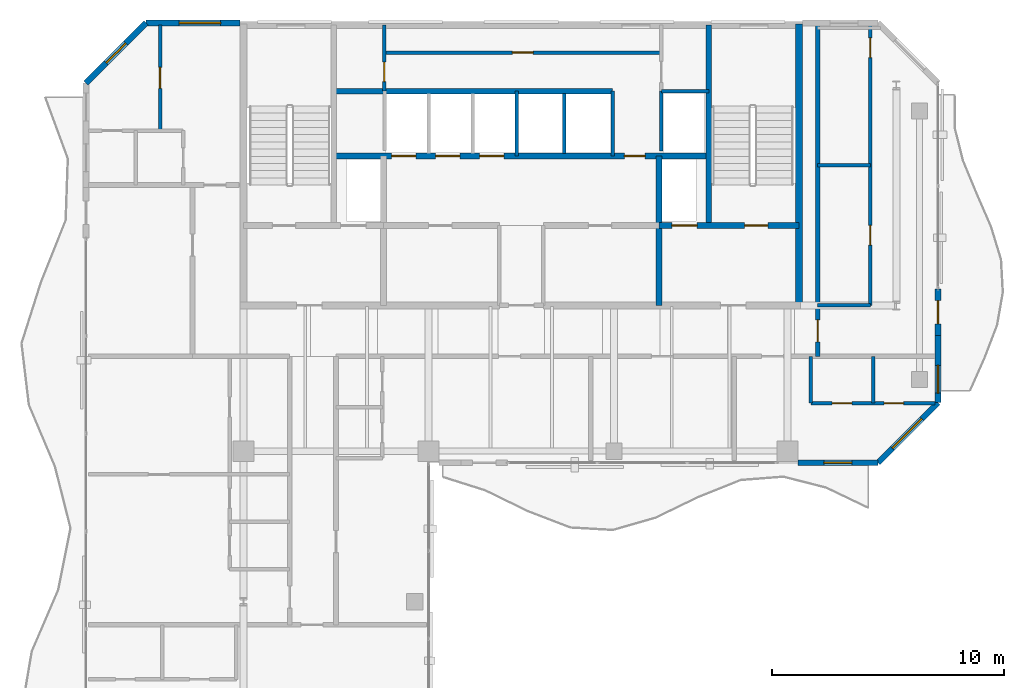
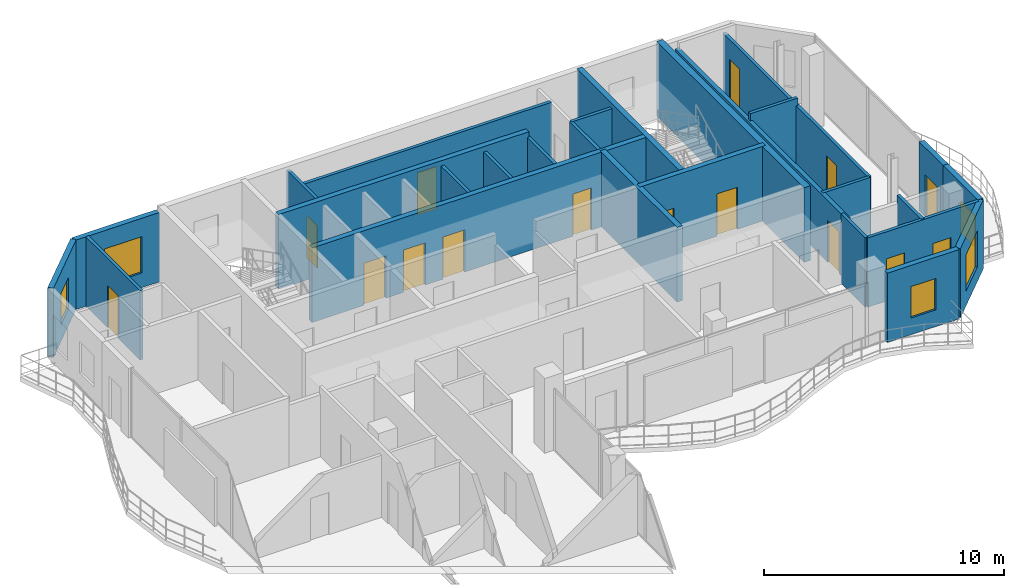
# One storey, part 14 of 17: 27 walls, 15 doors, 5 windows, 20 openings.
"""IFC4 building model written with IfcOpenShell, lengths in metres."""

from ifc_helpers import new_model, si_unit, direction, frame, frame_2d, origin, place, context, subcontext, project, spatial, rectangle, extrude, material, layer, layer_set, type_object, element, fill, save


model = new_model("IFC4")

# Units and contexts
model_context = context("Model", 3, precision=1e-05, world=origin(), true_north=direction((0.0, 1.0)))
body_context = subcontext(model_context, "Body", "Model", "MODEL_VIEW")
ifc_project = project(units=[si_unit("LENGTHUNIT", "METRE"), si_unit("AREAUNIT", "SQUARE_METRE"), si_unit("VOLUMEUNIT", "CUBIC_METRE"), si_unit("PLANEANGLEUNIT", "RADIAN"), si_unit("MASSUNIT", "GRAM", prefix="KILO")], contexts=[model_context])

# Site, building, storey
site_placement = place(None, origin())
site = spatial("IfcSite", under=ifc_project, at=site_placement, CompositionType="ELEMENT")
building_placement = place(site_placement, origin())
building = spatial("IfcBuilding", under=site, at=building_placement, Name="Catumbela Crestline Tower", CompositionType="ELEMENT")
storey_placement = place(building_placement, frame((0.0, 0.0, 267.8)))
storey = spatial("IfcBuildingStorey", under=building, at=storey_placement, Name="L69", CompositionType="ELEMENT", Elevation=267.8)

# Walls
ifc_material_1 = material(Name="Concrete C50/60", Category="concrete")
ifc_layer_1 = layer(ifc_material_1, 0.25, Name="Concrete C50/60")
ifc_layer_set_1 = layer_set([ifc_layer_1], Name="Concrete C50/60")
wall_type_1 = type_object("IfcWallType", Name="CW-250D", PredefinedType="SHEAR", material=ifc_layer_set_1)
wall_1_placement = place(storey_placement, frame((36.1, 34.25, 0.0), z_axis=(0.0, 0.0, 1.0), x_axis=(0.0, 1.0, 0.0)))
element("IfcWall", 1, at=wall_1_placement, inside=storey, type_object=wall_type_1, Name="L69 Structural Core Shear Wall EWEB", PredefinedType="SHEAR", context=body_context, shape_type="SweptSolid", body=[
    extrude(rectangle(XDim=8.65, YDim=0.25, at=frame_2d((4.325, 0.0))), origin(), (0.0, 0.0, 1.0), 3.8),
])
wall_2_placement = place(storey_placement, frame((33.95, 30.8, 0.0), z_axis=(0.0, 0.0, 1.0), x_axis=(0.0, 1.0, 0.0)))
element("IfcWall", 2, at=wall_2_placement, inside=storey, type_object=wall_type_1, Name="L69 Structural Core Shear Wall FFE", PredefinedType="SHEAR", context=body_context, shape_type="SweptSolid", body=[
    extrude(rectangle(XDim=6.45, YDim=0.25, at=frame_2d((3.225, 0.0))), origin(), (0.0, 0.0, 1.0), 3.8),
])

# Wall, openings, doors
wall_3_placement = place(storey_placement, frame((33.95, 34.25, 0.0), z_axis=(0.0, 0.0, 1.0), x_axis=(1.0, 0.0, 0.0)))
wall_3 = element("IfcWall", 3, at=wall_3_placement, inside=storey, type_object=wall_type_1, Name="L69 Structural Core Shear Wall ST2S", PredefinedType="SHEAR", context=body_context, shape_type="SweptSolid", body=[
    extrude(rectangle(XDim=6.05, YDim=0.25, at=frame_2d((3.025, 0.0))), origin(), (0.0, 0.0, 1.0), 3.8),
])
opening_1_placement = place(wall_3_placement, frame((3.7, 0.0, 0.0)))
opening_1 = element("IfcOpeningElement", 4, at=opening_1_placement, cuts=wall_3, Name="Opening DF9-100", PredefinedType="OPENING", context=body_context, shape_type="SweptSolid", body=[
    extrude(rectangle(XDim=1.0, YDim=2.15, at=frame_2d((0.5, 1.075))), frame((0.0, 0.135, 0.0), z_axis=(0.0, -1.0, 0.0), x_axis=(1.0, 0.0, 0.0)), (0.0, 0.0, 1.0), 0.27),
])
opening_2_placement = place(wall_3_placement, frame((0.55, 0.0, 0.0)))
opening_2 = element("IfcOpeningElement", 5, at=opening_2_placement, cuts=wall_3, Name="Opening LD-110", PredefinedType="OPENING", context=body_context, shape_type="SweptSolid", body=[
    extrude(rectangle(XDim=1.1, YDim=2.15, at=frame_2d((0.55, 1.075))), frame((0.0, 0.135, 0.0), z_axis=(0.0, -1.0, 0.0), x_axis=(1.0, 0.0, 0.0)), (0.0, 0.0, 1.0), 0.27),
])
ifc_material_2 = material(Name="Stainless steel EN 1.4401", Category="steel")
door_type_1 = type_object("IfcDoorType", Name="DF9-100", OperationType="NOTDEFINED", PredefinedType="DOOR", material=ifc_material_2)
door_1_placement = place(opening_1_placement, origin())
door_1 = element("IfcDoor", 6, at=door_1_placement, inside=storey, type_object=door_type_1, Name="L69 Interior Door DR-L69-ST02", OperationType="SINGLE_SWING_RIGHT", OverallHeight=2.15, OverallWidth=1.0, PredefinedType="DOOR", context=body_context, shape_type="SweptSolid", body=[
    extrude(rectangle(XDim=1.0, YDim=2.15, at=frame_2d((0.5, 1.075))), frame((0.0, 0.025, 0.0), z_axis=(0.0, -1.0, 0.0), x_axis=(1.0, 0.0, 0.0)), (0.0, 0.0, 1.0), 0.05),
])
fill(opening_1, door_1)
door_type_2 = type_object("IfcDoorType", Name="LD-110", OperationType="NOTDEFINED", PredefinedType="DOOR", material=ifc_material_2)
door_2_placement = place(opening_2_placement, origin())
door_2 = element("IfcDoor", 7, at=door_2_placement, inside=storey, type_object=door_type_2, Name="L69 Lift Landing Sliding Door FL-02", OperationType="DOUBLE_DOOR_SLIDING", OverallHeight=2.15, OverallWidth=1.1, PredefinedType="DOOR", context=body_context, shape_type="SweptSolid", body=[
    extrude(rectangle(XDim=1.1, YDim=2.15, at=frame_2d((0.55, 1.075))), frame((0.0, 0.025, 0.0), z_axis=(0.0, -1.0, 0.0), x_axis=(1.0, 0.0, 0.0)), (0.0, 0.0, 1.0), 0.05),
])
fill(opening_2, door_2)

wall_4_placement = place(storey_placement, frame((19.9, 37.25, 0.0), z_axis=(0.0, 0.0, 1.0), x_axis=(1.0, 0.0, 0.0)))
wall_4 = element("IfcWall", 8, at=wall_4_placement, inside=storey, type_object=wall_type_1, Name="L69 Structural Core Shear Wall LIFTN", PredefinedType="SHEAR", context=body_context, shape_type="SweptSolid", body=[
    extrude(rectangle(XDim=16.2, YDim=0.25, at=frame_2d((8.1, 0.0))), origin(), (0.0, 0.0, 1.0), 3.8),
])
opening_3_placement = place(wall_4_placement, frame((12.55, 0.0, 0.0)))
opening_3 = element("IfcOpeningElement", 9, at=opening_3_placement, cuts=wall_4, Name="Opening DF9-090", PredefinedType="OPENING", context=body_context, shape_type="SweptSolid", body=[
    extrude(rectangle(XDim=0.9, YDim=2.15, at=frame_2d((0.45, 1.075))), frame((0.0, 0.135, 0.0), z_axis=(0.0, -1.0, 0.0), x_axis=(1.0, 0.0, 0.0)), (0.0, 0.0, 1.0), 0.27),
])
opening_4_placement = place(wall_4_placement, frame((2.5, 0.0, 0.0)))
opening_4 = element("IfcOpeningElement", 10, at=opening_4_placement, cuts=wall_4, Name="Opening LD-105", PredefinedType="OPENING", context=body_context, shape_type="SweptSolid", body=[
    extrude(rectangle(XDim=1.05, YDim=2.15, at=frame_2d((0.525, 1.075))), frame((0.0, 0.135, 0.0), z_axis=(0.0, -1.0, 0.0), x_axis=(1.0, 0.0, 0.0)), (0.0, 0.0, 1.0), 0.27),
])
opening_5_placement = place(wall_4_placement, frame((4.4, 0.0, 0.0)))
opening_5 = element("IfcOpeningElement", 11, at=opening_5_placement, cuts=wall_4, Name="Opening LD-105", PredefinedType="OPENING", context=body_context, shape_type="SweptSolid", body=[
    extrude(rectangle(XDim=1.05, YDim=2.15, at=frame_2d((0.525, 1.075))), frame((0.0, 0.135, 0.0), z_axis=(0.0, -1.0, 0.0), x_axis=(1.0, 0.0, 0.0)), (0.0, 0.0, 1.0), 0.27),
])
opening_6_placement = place(wall_4_placement, frame((6.3, 0.0, 0.0)))
opening_6 = element("IfcOpeningElement", 12, at=opening_6_placement, cuts=wall_4, Name="Opening LD-105", PredefinedType="OPENING", context=body_context, shape_type="SweptSolid", body=[
    extrude(rectangle(XDim=1.05, YDim=2.15, at=frame_2d((0.525, 1.075))), frame((0.0, 0.135, 0.0), z_axis=(0.0, -1.0, 0.0), x_axis=(1.0, 0.0, 0.0)), (0.0, 0.0, 1.0), 0.27),
])
door_type_3 = type_object("IfcDoorType", Name="DF9-090", OperationType="NOTDEFINED", PredefinedType="DOOR", material=ifc_material_2)
door_3_placement = place(opening_3_placement, origin())
door_3 = element("IfcDoor", 13, at=door_3_placement, inside=storey, type_object=door_type_3, Name="L69 Interior Door DR-L69-CPAS1", OperationType="SINGLE_SWING_LEFT", OverallHeight=2.15, OverallWidth=0.9, PredefinedType="DOOR", context=body_context, shape_type="SweptSolid", body=[
    extrude(rectangle(XDim=0.9, YDim=2.15, at=frame_2d((0.45, 1.075))), frame((0.0, 0.025, 0.0), z_axis=(0.0, -1.0, 0.0), x_axis=(1.0, 0.0, 0.0)), (0.0, 0.0, 1.0), 0.05),
])
fill(opening_3, door_3)
door_type_4 = type_object("IfcDoorType", Name="LD-105", OperationType="NOTDEFINED", PredefinedType="DOOR", material=ifc_material_2)
door_4_placement = place(opening_4_placement, origin())
door_4 = element("IfcDoor", 14, at=door_4_placement, inside=storey, type_object=door_type_4, Name="L69 Lift Landing Sliding Door PL-H1", OperationType="DOUBLE_DOOR_SLIDING", OverallHeight=2.15, OverallWidth=1.05, PredefinedType="DOOR", context=body_context, shape_type="SweptSolid", body=[
    extrude(rectangle(XDim=1.05, YDim=2.15, at=frame_2d((0.525, 1.075))), frame((0.0, 0.025, 0.0), z_axis=(0.0, -1.0, 0.0), x_axis=(1.0, 0.0, 0.0)), (0.0, 0.0, 1.0), 0.05),
])
fill(opening_4, door_4)
door_5_placement = place(opening_5_placement, origin())
door_5 = element("IfcDoor", 15, at=door_5_placement, inside=storey, type_object=door_type_4, Name="L69 Lift Landing Sliding Door PL-H2", OperationType="DOUBLE_DOOR_SLIDING", OverallHeight=2.15, OverallWidth=1.05, PredefinedType="DOOR", context=body_context, shape_type="SweptSolid", body=[
    extrude(rectangle(XDim=1.05, YDim=2.15, at=frame_2d((0.525, 1.075))), frame((0.0, 0.025, 0.0), z_axis=(0.0, -1.0, 0.0), x_axis=(1.0, 0.0, 0.0)), (0.0, 0.0, 1.0), 0.05),
])
fill(opening_5, door_5)
door_6_placement = place(opening_6_placement, origin())
door_6 = element("IfcDoor", 16, at=door_6_placement, inside=storey, type_object=door_type_4, Name="L69 Lift Landing Sliding Door PL-H3", OperationType="DOUBLE_DOOR_SLIDING", OverallHeight=2.15, OverallWidth=1.05, PredefinedType="DOOR", context=body_context, shape_type="SweptSolid", body=[
    extrude(rectangle(XDim=1.05, YDim=2.15, at=frame_2d((0.525, 1.075))), frame((0.0, 0.025, 0.0), z_axis=(0.0, -1.0, 0.0), x_axis=(1.0, 0.0, 0.0)), (0.0, 0.0, 1.0), 0.05),
])
fill(opening_6, door_6)

# Walls
wall_5_placement = place(storey_placement, frame((19.9, 40.05, 0.0), z_axis=(0.0, 0.0, 1.0), x_axis=(1.0, 0.0, 0.0)))
element("IfcWall", 17, at=wall_5_placement, inside=storey, type_object=wall_type_1, Name="L69 Structural Core Shear Wall COREN", PredefinedType="SHEAR", context=body_context, shape_type="SweptSolid", body=[
    extrude(rectangle(XDim=12.05, YDim=0.25, at=frame_2d((6.025, 0.0))), origin(), (0.0, 0.0, 1.0), 3.8),
])
ifc_material_3 = material(Name="Concrete C45/55", Category="concrete")
ifc_layer_2 = layer(ifc_material_3, 0.3, Name="Concrete C45/55")
ifc_layer_set_2 = layer_set([ifc_layer_2], Name="Concrete C45/55")
wall_type_2 = type_object("IfcWallType", Name="CW-300C", PredefinedType="SHEAR", material=ifc_layer_set_2)
wall_6_placement = place(storey_placement, frame((40.0, 30.65, 0.0), z_axis=(0.0, 0.0, 1.0), x_axis=(0.0, 1.0, 0.0)))
element("IfcWall", 18, at=wall_6_placement, inside=storey, type_object=wall_type_2, Name="L69 Structural Core Shear Wall E", PredefinedType="SHEAR", context=body_context, shape_type="SweptSolid", body=[
    extrude(rectangle(XDim=12.3, YDim=0.3, at=frame_2d((6.15, 0.0))), origin(), (0.0, 0.0, 1.0), 3.8),
])

# Wall, opening, door
ifc_material_4 = material(Name="Acoustic gypsum and mineral-wool partition")
ifc_layer_3 = layer(ifc_material_4, 0.2, Name="Acoustic gypsum and mineral-wool partition")
ifc_layer_set_3 = layer_set([ifc_layer_3], Name="Acoustic gypsum and mineral-wool partition")
wall_type_3 = type_object("IfcWallType", Name="WC-200", PredefinedType="PARTITIONING", material=ifc_layer_set_3)
wall_7_placement = place(storey_placement, frame((40.8, 28.6, 0.0), z_axis=(0.0, 0.0, 1.0), x_axis=(0.0, 1.0, 0.0)))
wall_7 = element("IfcWall", 19, at=wall_7_placement, inside=storey, type_object=wall_type_3, Name="L69 Interior Partition PW-L69-NE1-ENT", PredefinedType="PARTITIONING", context=body_context, shape_type="SweptSolid", body=[
    extrude(rectangle(XDim=14.3, YDim=0.2, at=frame_2d((7.15, 0.0))), origin(), (0.0, 0.0, 1.0), 3.16),
])
opening_7_placement = place(wall_7_placement, frame((0.625, 0.0, 0.0)))
opening_7 = element("IfcOpeningElement", 20, at=opening_7_placement, cuts=wall_7, Name="Opening DF6-095", PredefinedType="OPENING", context=body_context, shape_type="SweptSolid", body=[
    extrude(rectangle(XDim=0.95, YDim=2.15, at=frame_2d((0.475, 1.075))), frame((0.0, 0.11, 0.0), z_axis=(0.0, -1.0, 0.0), x_axis=(1.0, 0.0, 0.0)), (0.0, 0.0, 1.0), 0.22),
])
ifc_material_5 = material(Name="Aluminium alloy AW-6060-T66", Category="aluminium")
door_type_5 = type_object("IfcDoorType", Name="DF6-095", OperationType="NOTDEFINED", PredefinedType="DOOR", material=ifc_material_5)
door_7_placement = place(opening_7_placement, origin())
door_7 = element("IfcDoor", 21, at=door_7_placement, inside=storey, type_object=door_type_5, Name="L69 Interior Door DR-L69-NE1-ENT", OperationType="SINGLE_SWING_LEFT", OverallHeight=2.15, OverallWidth=0.95, PredefinedType="DOOR", context=body_context, shape_type="SweptSolid", body=[
    extrude(rectangle(XDim=0.95, YDim=2.15, at=frame_2d((0.475, 1.075))), frame((0.0, 0.025, 0.0), z_axis=(0.0, -1.0, 0.0), x_axis=(1.0, 0.0, 0.0)), (0.0, 0.0, 1.0), 0.05),
])
fill(opening_7, door_7)

# Wall, opening, window
ifc_material_6 = material(Name="Angolan grey-ochre granite", Category="masonry")
ifc_layer_4 = layer(ifc_material_6, 0.25, Name="Angolan grey-ochre granite")
ifc_layer_set_4 = layer_set([ifc_layer_4], Name="Angolan grey-ochre granite")
wall_type_4 = type_object("IfcWallType", Name="WE-250", PredefinedType="STANDARD", material=ifc_layer_set_4)
wall_8_placement = place(storey_placement, frame((39.95, 24.0, 0.0), z_axis=(0.0, 0.0, 1.0), x_axis=(1.0, 0.0, 0.0)))
wall_8 = element("IfcWall", 22, at=wall_8_placement, inside=storey, type_object=wall_type_4, Name="L69 Granite Punched Window Wall 3-3", PredefinedType="STANDARD", context=body_context, shape_type="SweptSolid", body=[
    extrude(rectangle(XDim=3.45, YDim=0.25, at=frame_2d((1.725, 0.0))), origin(), (0.0, 0.0, 1.0), 3.53),
])
opening_8_placement = place(wall_8_placement, frame((1.125, 0.0, 0.85)))
opening_8 = element("IfcOpeningElement", 23, at=opening_8_placement, cuts=wall_8, Name="Opening WN-02", PredefinedType="OPENING", context=body_context, shape_type="SweptSolid", body=[
    extrude(rectangle(XDim=1.2, YDim=1.6, at=frame_2d((0.6, 0.8))), frame((0.0, 0.135, 0.0), z_axis=(0.0, -1.0, 0.0), x_axis=(1.0, 0.0, 0.0)), (0.0, 0.0, 1.0), 0.27),
])
ifc_material_7 = material(Name="Low-E laminated solar-control double glazing", Category="glass")
window_type_1 = type_object("IfcWindowType", Name="WO-1200", PartitioningType="SINGLE_PANEL", PredefinedType="WINDOW", material=ifc_material_7)
window_1_placement = place(opening_8_placement, origin())
window_1 = element("IfcWindow", 24, at=window_1_placement, inside=storey, type_object=window_type_1, Name="L69 Facade Vision Window 542", OverallHeight=1.6, OverallWidth=1.2, PartitioningType="SINGLE_PANEL", PredefinedType="WINDOW", context=body_context, shape_type="SweptSolid", body=[
    extrude(rectangle(XDim=1.2, YDim=1.6, at=frame_2d((0.6, 0.8))), frame((0.0, 0.03, 0.0), z_axis=(0.0, -1.0, 0.0), x_axis=(1.0, 0.0, 0.0)), (0.0, 0.0, 1.0), 0.06),
])
fill(opening_8, window_1)

wall_9_placement = place(storey_placement, frame((43.4, 24.0, 0.0), z_axis=(0.0, 0.0, 1.0), x_axis=(0.707106781187, 0.707106781187, 0.0)))
wall_9 = element("IfcWall", 25, at=wall_9_placement, inside=storey, type_object=wall_type_4, Name="L69 Granite Punched Window Wall 4-1", PredefinedType="STANDARD", context=body_context, shape_type="SweptSolid", body=[
    extrude(rectangle(XDim=3.677, YDim=0.25, at=frame_2d((1.8385, 0.0))), origin(), (0.0, 0.0, 1.0), 3.53),
])
opening_9_placement = place(wall_9_placement, frame((0.8962, 0.0, 0.75)))
opening_9 = element("IfcOpeningElement", 26, at=opening_9_placement, cuts=wall_9, Name="Opening WN-01", PredefinedType="OPENING", context=body_context, shape_type="SweptSolid", body=[
    extrude(rectangle(XDim=1.8, YDim=1.85, at=frame_2d((0.9, 0.925))), frame((0.0, 0.135, 0.0), z_axis=(0.0, -1.0, 0.0), x_axis=(1.0, 0.0, 0.0)), (0.0, 0.0, 1.0), 0.27),
])
window_type_2 = type_object("IfcWindowType", Name="WF-1800", PartitioningType="SINGLE_PANEL", PredefinedType="WINDOW", material=ifc_material_7)
window_2_placement = place(opening_9_placement, origin())
window_2 = element("IfcWindow", 27, at=window_2_placement, inside=storey, type_object=window_type_2, Name="L69 Facade Vision Window 543", OverallHeight=1.85, OverallWidth=1.8, PartitioningType="SINGLE_PANEL", PredefinedType="WINDOW", context=body_context, shape_type="SweptSolid", body=[
    extrude(rectangle(XDim=1.8, YDim=1.85, at=frame_2d((0.9, 0.925))), frame((0.0, 0.03, 0.0), z_axis=(0.0, -1.0, 0.0), x_axis=(1.0, 0.0, 0.0)), (0.0, 0.0, 1.0), 0.06),
])
fill(opening_9, window_2)

# Wall, opening, door
wall_10_placement = place(storey_placement, frame((46.0, 29.5, 0.0), z_axis=(0.0, 0.0, 1.0), x_axis=(0.0, 1.0, 0.0)))
wall_10 = element("IfcWall", 28, at=wall_10_placement, inside=storey, type_object=wall_type_4, Name="L69 Exterior Threshold Portal Wall DR-L69-WBAL-2", PredefinedType="STANDARD", context=body_context, shape_type="SweptSolid", body=[
    extrude(rectangle(XDim=2.0, YDim=0.25, at=frame_2d((1.0, 0.0))), origin(), (0.0, 0.0, 1.0), 3.53),
])
opening_10_placement = place(wall_10_placement, frame((0.5, 0.0, 0.0)))
opening_10 = element("IfcOpeningElement", 29, at=opening_10_placement, cuts=wall_10, Name="Opening DB-L69-2", PredefinedType="OPENING", context=body_context, shape_type="SweptSolid", body=[
    extrude(rectangle(XDim=1.0, YDim=2.15, at=frame_2d((0.5, 1.075))), frame((0.0, 0.135, 0.0), z_axis=(0.0, -1.0, 0.0), x_axis=(1.0, 0.0, 0.0)), (0.0, 0.0, 1.0), 0.27),
])
door_type_6 = type_object("IfcDoorType", Name="DB-1000", OperationType="NOTDEFINED", PredefinedType="DOOR", material=ifc_material_5)
door_8_placement = place(opening_10_placement, origin())
door_8 = element("IfcDoor", 30, at=door_8_placement, inside=storey, type_object=door_type_6, Name="L69 Wave Balcony Terrace Door 2", OperationType="SINGLE_SWING_RIGHT", OverallHeight=2.15, OverallWidth=1.0, PredefinedType="DOOR", context=body_context, shape_type="SweptSolid", body=[
    extrude(rectangle(XDim=1.0, YDim=2.15, at=frame_2d((0.5, 1.075))), frame((0.0, 0.025, 0.0), z_axis=(0.0, -1.0, 0.0), x_axis=(1.0, 0.0, 0.0)), (0.0, 0.0, 1.0), 0.05),
])
fill(opening_10, door_8)

# Wall, opening, window
wall_11_placement = place(storey_placement, frame((46.0, 26.6, 0.0), z_axis=(0.0, 0.0, 1.0), x_axis=(0.0, 1.0, 0.0)))
wall_11 = element("IfcWall", 31, at=wall_11_placement, inside=storey, type_object=wall_type_4, Name="L69 Granite Punched Window Wall 5-1", PredefinedType="STANDARD", context=body_context, shape_type="SweptSolid", body=[
    extrude(rectangle(XDim=2.9, YDim=0.25, at=frame_2d((1.45, 0.0))), origin(), (0.0, 0.0, 1.0), 3.53),
])
opening_11_placement = place(wall_11_placement, frame((0.41, 0.0, 0.85)))
opening_11 = element("IfcOpeningElement", 32, at=opening_11_placement, cuts=wall_11, Name="Opening WN-02", PredefinedType="OPENING", context=body_context, shape_type="SweptSolid", body=[
    extrude(rectangle(XDim=1.2, YDim=1.6, at=frame_2d((0.6, 0.8))), frame((0.0, 0.135, 0.0), z_axis=(0.0, -1.0, 0.0), x_axis=(1.0, 0.0, 0.0)), (0.0, 0.0, 1.0), 0.27),
])
window_3_placement = place(opening_11_placement, origin())
window_3 = element("IfcWindow", 33, at=window_3_placement, inside=storey, type_object=window_type_1, Name="L69 Facade Vision Window 544", OverallHeight=1.6, OverallWidth=1.2, PartitioningType="SINGLE_PANEL", PredefinedType="WINDOW", context=body_context, shape_type="SweptSolid", body=[
    extrude(rectangle(XDim=1.2, YDim=1.6, at=frame_2d((0.6, 0.8))), frame((0.0, 0.03, 0.0), z_axis=(0.0, -1.0, 0.0), x_axis=(1.0, 0.0, 0.0)), (0.0, 0.0, 1.0), 0.06),
])
fill(opening_11, window_3)

wall_12_placement = place(storey_placement, frame((15.86, 43.0, 0.0), z_axis=(0.0, 0.0, 1.0), x_axis=(-1.0, 0.0, 0.0)))
wall_12 = element("IfcWall", 34, at=wall_12_placement, inside=storey, type_object=wall_type_4, Name="L69 Granite Punched Window Wall 7-2", PredefinedType="STANDARD", context=body_context, shape_type="SweptSolid", body=[
    extrude(rectangle(XDim=4.06, YDim=0.25, at=frame_2d((2.03, 0.0))), origin(), (0.0, 0.0, 1.0), 3.53),
])
opening_12_placement = place(wall_12_placement, frame((0.84, 0.0, 0.75)))
opening_12 = element("IfcOpeningElement", 35, at=opening_12_placement, cuts=wall_12, Name="Opening WN-01", PredefinedType="OPENING", context=body_context, shape_type="SweptSolid", body=[
    extrude(rectangle(XDim=1.8, YDim=1.85, at=frame_2d((0.9, 0.925))), frame((0.0, 0.135, 0.0), z_axis=(0.0, -1.0, 0.0), x_axis=(1.0, 0.0, 0.0)), (0.0, 0.0, 1.0), 0.27),
])
window_4_placement = place(opening_12_placement, origin())
window_4 = element("IfcWindow", 36, at=window_4_placement, inside=storey, type_object=window_type_2, Name="L69 Facade Vision Window 547", OverallHeight=1.85, OverallWidth=1.8, PartitioningType="SINGLE_PANEL", PredefinedType="WINDOW", context=body_context, shape_type="SweptSolid", body=[
    extrude(rectangle(XDim=1.8, YDim=1.85, at=frame_2d((0.9, 0.925))), frame((0.0, 0.03, 0.0), z_axis=(0.0, -1.0, 0.0), x_axis=(1.0, 0.0, 0.0)), (0.0, 0.0, 1.0), 0.06),
])
fill(opening_12, window_4)

wall_13_placement = place(storey_placement, frame((11.8, 43.0, 0.0), z_axis=(0.0, 0.0, 1.0), x_axis=(-0.707106781187, -0.707106781187, 0.0)))
wall_13 = element("IfcWall", 37, at=wall_13_placement, inside=storey, type_object=wall_type_4, Name="L69 Granite Punched Window Wall 8-1", PredefinedType="STANDARD", context=body_context, shape_type="SweptSolid", body=[
    extrude(rectangle(XDim=3.677, YDim=0.25, at=frame_2d((1.8385, 0.0))), origin(), (0.0, 0.0, 1.0), 3.53),
])
opening_13_placement = place(wall_13_placement, frame((1.2385, 0.0, 0.85)))
opening_13 = element("IfcOpeningElement", 38, at=opening_13_placement, cuts=wall_13, Name="Opening WN-02", PredefinedType="OPENING", context=body_context, shape_type="SweptSolid", body=[
    extrude(rectangle(XDim=1.2, YDim=1.6, at=frame_2d((0.6, 0.8))), frame((0.0, 0.135, 0.0), z_axis=(0.0, -1.0, 0.0), x_axis=(1.0, 0.0, 0.0)), (0.0, 0.0, 1.0), 0.27),
])
window_5_placement = place(opening_13_placement, origin())
window_5 = element("IfcWindow", 39, at=window_5_placement, inside=storey, type_object=window_type_1, Name="L69 Facade Vision Window 548", OverallHeight=1.6, OverallWidth=1.2, PartitioningType="SINGLE_PANEL", PredefinedType="WINDOW", context=body_context, shape_type="SweptSolid", body=[
    extrude(rectangle(XDim=1.2, YDim=1.6, at=frame_2d((0.6, 0.8))), frame((0.0, 0.03, 0.0), z_axis=(0.0, -1.0, 0.0), x_axis=(1.0, 0.0, 0.0)), (0.0, 0.0, 1.0), 0.06),
])
fill(opening_13, window_5)

# Wall
ifc_layer_5 = layer(ifc_material_4, 0.15, Name="Acoustic gypsum and mineral-wool partition")
ifc_layer_set_5 = layer_set([ifc_layer_5], Name="Acoustic gypsum and mineral-wool partition")
wall_type_5 = type_object("IfcWallType", Name="WP-150", PredefinedType="PARTITIONING", material=ifc_layer_set_5)
wall_14_placement = place(storey_placement, frame((34.05, 40.05, 0.0), z_axis=(0.0, 0.0, 1.0), x_axis=(1.0, 0.0, 0.0)))
element("IfcWall", 40, at=wall_14_placement, inside=storey, type_object=wall_type_5, Name="L69 Interior Partition PW-L69-CR-ES", PredefinedType="PARTITIONING", context=body_context, shape_type="SweptSolid", body=[
    extrude(rectangle(XDim=2.05, YDim=0.15, at=frame_2d((1.025, 0.0))), origin(), (0.0, 0.0, 1.0), 3.53),
])

# Wall, opening, door
wall_15_placement = place(storey_placement, frame((22.08, 40.05, 0.0), z_axis=(0.0, 0.0, 1.0), x_axis=(0.0, 1.0, 0.0)))
wall_15 = element("IfcWall", 41, at=wall_15_placement, inside=storey, type_object=wall_type_5, Name="L69 Interior Partition PW-L69-CR-WCW", PredefinedType="PARTITIONING", context=body_context, shape_type="SweptSolid", body=[
    extrude(rectangle(XDim=2.85, YDim=0.15, at=frame_2d((1.425, 0.0))), origin(), (0.0, 0.0, 1.0), 3.53),
])
opening_14_placement = place(wall_15_placement, frame((0.41, 0.0, 0.0)))
opening_14 = element("IfcOpeningElement", 42, at=opening_14_placement, cuts=wall_15, Name="Opening DI-085", PredefinedType="OPENING", context=body_context, shape_type="SweptSolid", body=[
    extrude(rectangle(XDim=0.85, YDim=2.15, at=frame_2d((0.425, 1.075))), frame((0.0, 0.085, 0.0), z_axis=(0.0, -1.0, 0.0), x_axis=(1.0, 0.0, 0.0)), (0.0, 0.0, 1.0), 0.17),
])
door_type_7 = type_object("IfcDoorType", Name="DI-085", OperationType="NOTDEFINED", PredefinedType="DOOR", material=ifc_material_5)
door_9_placement = place(opening_14_placement, origin())
door_9 = element("IfcDoor", 43, at=door_9_placement, inside=storey, type_object=door_type_7, Name="L69 Interior Door DR-L69-CRWC", OperationType="SINGLE_SWING_LEFT", OverallHeight=2.15, OverallWidth=0.85, PredefinedType="DOOR", context=body_context, shape_type="SweptSolid", body=[
    extrude(rectangle(XDim=0.85, YDim=2.15, at=frame_2d((0.425, 1.075))), frame((0.0, 0.025, 0.0), z_axis=(0.0, -1.0, 0.0), x_axis=(1.0, 0.0, 0.0)), (0.0, 0.0, 1.0), 0.05),
])
fill(opening_14, door_9)

wall_16_placement = place(storey_placement, frame((22.08, 41.72, 0.0), z_axis=(0.0, 0.0, 1.0), x_axis=(1.0, 0.0, 0.0)))
wall_16 = element("IfcWall", 44, at=wall_16_placement, inside=storey, type_object=wall_type_5, Name="L69 Interior Partition PW-L69-CR-MID", PredefinedType="PARTITIONING", context=body_context, shape_type="SweptSolid", body=[
    extrude(rectangle(XDim=11.97, YDim=0.15, at=frame_2d((5.985, 0.0))), origin(), (0.0, 0.0, 1.0), 3.53),
])
opening_15_placement = place(wall_16_placement, frame((5.535, 0.0, 0.0)))
opening_15 = element("IfcOpeningElement", 45, at=opening_15_placement, cuts=wall_16, Name="Opening DF9-090", PredefinedType="OPENING", context=body_context, shape_type="SweptSolid", body=[
    extrude(rectangle(XDim=0.9, YDim=2.15, at=frame_2d((0.45, 1.075))), frame((0.0, 0.085, 0.0), z_axis=(0.0, -1.0, 0.0), x_axis=(1.0, 0.0, 0.0)), (0.0, 0.0, 1.0), 0.17),
])
door_10_placement = place(opening_15_placement, origin())
door_10 = element("IfcDoor", 46, at=door_10_placement, inside=storey, type_object=door_type_3, Name="L69 Interior Door DR-L69-CRMID", OperationType="SINGLE_SWING_LEFT", OverallHeight=2.15, OverallWidth=0.9, PredefinedType="DOOR", context=body_context, shape_type="SweptSolid", body=[
    extrude(rectangle(XDim=0.9, YDim=2.15, at=frame_2d((0.45, 1.075))), frame((0.0, 0.025, 0.0), z_axis=(0.0, -1.0, 0.0), x_axis=(1.0, 0.0, 0.0)), (0.0, 0.0, 1.0), 0.05),
])
fill(opening_15, door_10)

wall_17_placement = place(storey_placement, frame((12.4, 38.35, 0.0), z_axis=(0.0, 0.0, 1.0), x_axis=(0.0, 1.0, 0.0)))
wall_17 = element("IfcWall", 47, at=wall_17_placement, inside=storey, type_object=wall_type_5, Name="L69 Interior Partition PW-L69-NW1-BD1W", PredefinedType="PARTITIONING", context=body_context, shape_type="SweptSolid", body=[
    extrude(rectangle(XDim=4.55, YDim=0.15, at=frame_2d((2.275, 0.0))), origin(), (0.0, 0.0, 1.0), 3.53),
])
opening_16_placement = place(wall_17_placement, frame((1.825, 0.0, 0.0)))
opening_16 = element("IfcOpeningElement", 48, at=opening_16_placement, cuts=wall_17, Name="Opening DI-090", PredefinedType="OPENING", context=body_context, shape_type="SweptSolid", body=[
    extrude(rectangle(XDim=0.9, YDim=2.15, at=frame_2d((0.45, 1.075))), frame((0.0, 0.085, 0.0), z_axis=(0.0, -1.0, 0.0), x_axis=(1.0, 0.0, 0.0)), (0.0, 0.0, 1.0), 0.17),
])
door_type_8 = type_object("IfcDoorType", Name="DI-090", OperationType="NOTDEFINED", PredefinedType="DOOR", material=ifc_material_5)
door_11_placement = place(opening_16_placement, origin())
door_11 = element("IfcDoor", 49, at=door_11_placement, inside=storey, type_object=door_type_8, Name="L69 Interior Door DR-L69-NW1-BD1", OperationType="SINGLE_SWING_LEFT", OverallHeight=2.15, OverallWidth=0.9, PredefinedType="DOOR", context=body_context, shape_type="SweptSolid", body=[
    extrude(rectangle(XDim=0.9, YDim=2.15, at=frame_2d((0.45, 1.075))), frame((0.0, 0.025, 0.0), z_axis=(0.0, -1.0, 0.0), x_axis=(1.0, 0.0, 0.0)), (0.0, 0.0, 1.0), 0.05),
])
fill(opening_16, door_11)

# Walls
wall_18_placement = place(storey_placement, frame((40.8, 30.8, 0.0), z_axis=(0.0, 0.0, 1.0), x_axis=(1.0, 0.0, 0.0)))
element("IfcWall", 50, at=wall_18_placement, inside=storey, type_object=wall_type_5, Name="L69 Interior Partition PW-L69-NE1-KBS", PredefinedType="PARTITIONING", context=body_context, shape_type="SweptSolid", body=[
    extrude(rectangle(XDim=2.28, YDim=0.15, at=frame_2d((1.14, 0.0))), origin(), (0.0, 0.0, 1.0), 3.16),
])
wall_19_placement = place(storey_placement, frame((40.8, 36.85, 0.0), z_axis=(0.0, 0.0, 1.0), x_axis=(1.0, 0.0, 0.0)))
element("IfcWall", 51, at=wall_19_placement, inside=storey, type_object=wall_type_5, Name="L69 Interior Partition PW-L69-NE1-KBM", PredefinedType="PARTITIONING", context=body_context, shape_type="SweptSolid", body=[
    extrude(rectangle(XDim=2.28, YDim=0.15, at=frame_2d((1.14, 0.0))), origin(), (0.0, 0.0, 1.0), 3.53),
])

# Wall, openings, doors
wall_20_placement = place(storey_placement, frame((43.08, 30.8, 0.0), z_axis=(0.0, 0.0, 1.0), x_axis=(0.0, 1.0, 0.0)))
wall_20 = element("IfcWall", 52, at=wall_20_placement, inside=storey, type_object=wall_type_5, Name="L69 Interior Partition PW-L69-NE1-SK1", PredefinedType="PARTITIONING", context=body_context, shape_type="SweptSolid", body=[
    extrude(rectangle(XDim=12.1, YDim=0.15, at=frame_2d((6.05, 0.0))), origin(), (0.0, 0.0, 1.0), 3.16),
])
opening_17_placement = place(wall_20_placement, frame((2.6, 0.0, 0.0)))
opening_17 = element("IfcOpeningElement", 53, at=opening_17_placement, cuts=wall_20, Name="Opening DI-085", PredefinedType="OPENING", context=body_context, shape_type="SweptSolid", body=[
    extrude(rectangle(XDim=0.85, YDim=2.15, at=frame_2d((0.425, 1.075))), frame((0.0, 0.085, 0.0), z_axis=(0.0, -1.0, 0.0), x_axis=(1.0, 0.0, 0.0)), (0.0, 0.0, 1.0), 0.17),
])
opening_18_placement = place(wall_20_placement, frame((10.7036, 0.0, 0.0)))
opening_18 = element("IfcOpeningElement", 54, at=opening_18_placement, cuts=wall_20, Name="Opening DI-085", PredefinedType="OPENING", context=body_context, shape_type="SweptSolid", body=[
    extrude(rectangle(XDim=0.85, YDim=2.15, at=frame_2d((0.425, 1.075))), frame((0.0, 0.085, 0.0), z_axis=(0.0, -1.0, 0.0), x_axis=(1.0, 0.0, 0.0)), (0.0, 0.0, 1.0), 0.17),
])
door_12_placement = place(opening_17_placement, origin())
door_12 = element("IfcDoor", 55, at=door_12_placement, inside=storey, type_object=door_type_7, Name="L69 Interior Door DR-L69-NE1-KIT", OperationType="SINGLE_SWING_LEFT", OverallHeight=2.15, OverallWidth=0.85, PredefinedType="DOOR", context=body_context, shape_type="SweptSolid", body=[
    extrude(rectangle(XDim=0.85, YDim=2.15, at=frame_2d((0.425, 1.075))), frame((0.0, 0.025, 0.0), z_axis=(0.0, -1.0, 0.0), x_axis=(1.0, 0.0, 0.0)), (0.0, 0.0, 1.0), 0.05),
])
fill(opening_17, door_12)
door_13_placement = place(opening_18_placement, origin())
door_13 = element("IfcDoor", 56, at=door_13_placement, inside=storey, type_object=door_type_7, Name="L69 Interior Door DR-L69-NE1-BTH", OperationType="SINGLE_SWING_RIGHT", OverallHeight=2.15, OverallWidth=0.85, PredefinedType="DOOR", context=body_context, shape_type="SweptSolid", body=[
    extrude(rectangle(XDim=0.85, YDim=2.15, at=frame_2d((0.425, 1.075))), frame((0.0, 0.025, 0.0), z_axis=(0.0, -1.0, 0.0), x_axis=(1.0, 0.0, 0.0)), (0.0, 0.0, 1.0), 0.05),
])
fill(opening_18, door_13)

# Walls
for number, where, z_axis, x_axis, name in (
    (57, (40.506, 26.576, 0.0), (0.0, 0.0, 1.0), (0.0, 1.0, 0.0), "L69 Interior Partition PW-L69-S3-KBW"),
    (58, (43.203, 26.576, 0.0), (0.0, 0.0, 1.0), (0.0, 1.0, 0.0), "L69 Interior Partition PW-L69-S3-KBM"),
):
    element("IfcWall", number, at=place(storey_placement, frame(where, z_axis=z_axis, x_axis=x_axis)), inside=storey, type_object=wall_type_5, Name=name, PredefinedType="PARTITIONING", context=body_context, shape_type="SweptSolid", body=[
        extrude(rectangle(XDim=2.024, YDim=0.15, at=frame_2d((1.012, 0.0))), origin(), (0.0, 0.0, 1.0), 3.53),
    ])

# Wall, openings, doors
wall_21_placement = place(storey_placement, frame((40.506, 26.576, 0.0), z_axis=(0.0, 0.0, 1.0), x_axis=(1.0, 0.0, 0.0)))
wall_21 = element("IfcWall", 59, at=wall_21_placement, inside=storey, type_object=wall_type_5, Name="L69 Interior Partition PW-L69-S3-KBD1", PredefinedType="PARTITIONING", context=body_context, shape_type="SweptSolid", body=[
    extrude(rectangle(XDim=5.37, YDim=0.15, at=frame_2d((2.685, 0.0))), origin(), (0.0, 0.0, 1.0), 3.53),
])
opening_19_placement = place(wall_21_placement, frame((0.9235, 0.0, 0.0)))
opening_19 = element("IfcOpeningElement", 60, at=opening_19_placement, cuts=wall_21, Name="Opening DI-085", PredefinedType="OPENING", context=body_context, shape_type="SweptSolid", body=[
    extrude(rectangle(XDim=0.85, YDim=2.15, at=frame_2d((0.425, 1.075))), frame((0.0, 0.085, 0.0), z_axis=(0.0, -1.0, 0.0), x_axis=(1.0, 0.0, 0.0)), (0.0, 0.0, 1.0), 0.17),
])
opening_20_placement = place(wall_21_placement, frame((3.1619, 0.0, 0.0)))
opening_20 = element("IfcOpeningElement", 61, at=opening_20_placement, cuts=wall_21, Name="Opening DI-085", PredefinedType="OPENING", context=body_context, shape_type="SweptSolid", body=[
    extrude(rectangle(XDim=0.85, YDim=2.15, at=frame_2d((0.425, 1.075))), frame((0.0, 0.085, 0.0), z_axis=(0.0, -1.0, 0.0), x_axis=(1.0, 0.0, 0.0)), (0.0, 0.0, 1.0), 0.17),
])
door_14_placement = place(opening_19_placement, origin())
door_14 = element("IfcDoor", 62, at=door_14_placement, inside=storey, type_object=door_type_7, Name="L69 Interior Door DR-L69-S3-BTH", OperationType="SINGLE_SWING_LEFT", OverallHeight=2.15, OverallWidth=0.85, PredefinedType="DOOR", context=body_context, shape_type="SweptSolid", body=[
    extrude(rectangle(XDim=0.85, YDim=2.15, at=frame_2d((0.425, 1.075))), frame((0.0, 0.025, 0.0), z_axis=(0.0, -1.0, 0.0), x_axis=(1.0, 0.0, 0.0)), (0.0, 0.0, 1.0), 0.05),
])
fill(opening_19, door_14)
door_15_placement = place(opening_20_placement, origin())
door_15 = element("IfcDoor", 63, at=door_15_placement, inside=storey, type_object=door_type_7, Name="L69 Interior Door DR-L69-S3-KIT", OperationType="SINGLE_SWING_LEFT", OverallHeight=2.15, OverallWidth=0.85, PredefinedType="DOOR", context=body_context, shape_type="SweptSolid", body=[
    extrude(rectangle(XDim=0.85, YDim=2.15, at=frame_2d((0.425, 1.075))), frame((0.0, 0.025, 0.0), z_axis=(0.0, -1.0, 0.0), x_axis=(1.0, 0.0, 0.0)), (0.0, 0.0, 1.0), 0.05),
])
fill(opening_20, door_15)

# Walls
ifc_layer_6 = layer(ifc_material_4, 0.15, Name="Acoustic gypsum and mineral-wool partition")
ifc_layer_set_6 = layer_set([ifc_layer_6], Name="Acoustic gypsum and mineral-wool partition")
wall_type_6 = type_object("IfcWallType", Name="WS-150", PredefinedType="PLUMBINGWALL", material=ifc_layer_set_6)
for number, where, z_axis, x_axis, name in (
    (64, (27.8, 37.25, 0.0), (0.0, 0.0, 1.0), (0.0, 1.0, 0.0), "L69 Interior Partition PW-L69-SHH3"),
    (65, (31.95, 37.25, 0.0), (0.0, 0.0, 1.0), (0.0, 1.0, 0.0), "L69 Interior Partition PW-L69-SHEX2E"),
):
    element("IfcWall", number, at=place(storey_placement, frame(where, z_axis=z_axis, x_axis=x_axis)), inside=storey, type_object=wall_type_6, Name=name, PredefinedType="PLUMBINGWALL", context=body_context, shape_type="SweptSolid", body=[
        extrude(rectangle(XDim=2.8, YDim=0.15, at=frame_2d((1.4, 0.0))), origin(), (0.0, 0.0, 1.0), 3.53),
    ])
wall_22_placement = place(storey_placement, frame((29.85, 37.35, 0.0), z_axis=(0.0, 0.0, 1.0), x_axis=(0.0, 1.0, 0.0)))
element("IfcWall", 66, at=wall_22_placement, inside=storey, type_object=wall_type_6, Name="L69 Interior Partition PW-L69-SHEX1", PredefinedType="PLUMBINGWALL", context=body_context, shape_type="SweptSolid", body=[
    extrude(rectangle(XDim=2.6, YDim=0.15, at=frame_2d((1.3, 0.0))), origin(), (0.0, 0.0, 1.0), 3.53),
])
wall_23_placement = place(storey_placement, frame((34.05, 37.4734, 0.0), z_axis=(0.0, 0.0, 1.0), x_axis=(0.0, 1.0, 0.0)))
element("IfcWall", 67, at=wall_23_placement, inside=storey, type_object=wall_type_6, Name="L69 Interior Partition PW-L69-RISW", PredefinedType="PLUMBINGWALL", context=body_context, shape_type="SweptSolid", body=[
    extrude(rectangle(XDim=2.5766, YDim=0.15, at=frame_2d((1.2883, 0.0))), origin(), (0.0, 0.0, 1.0), 3.53),
])

save(model, "model.ifc")
